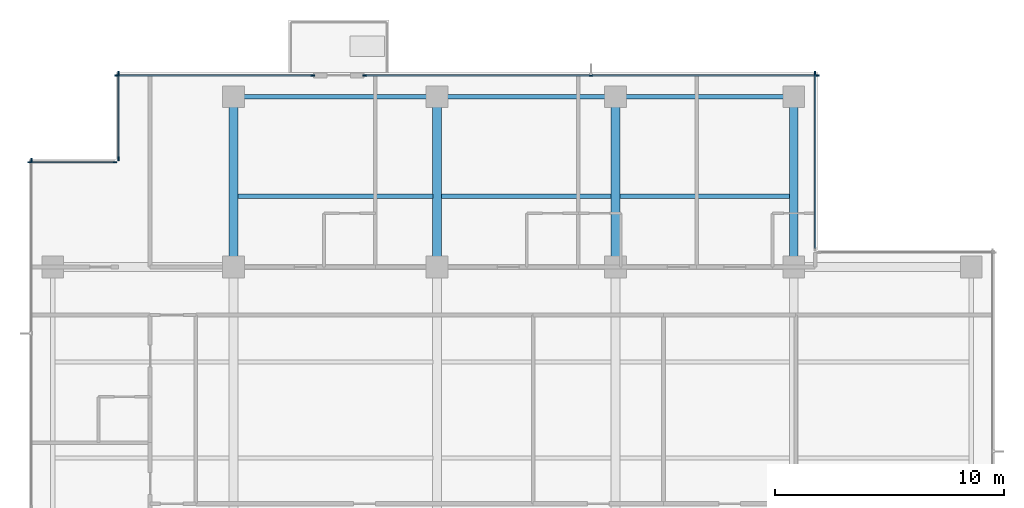
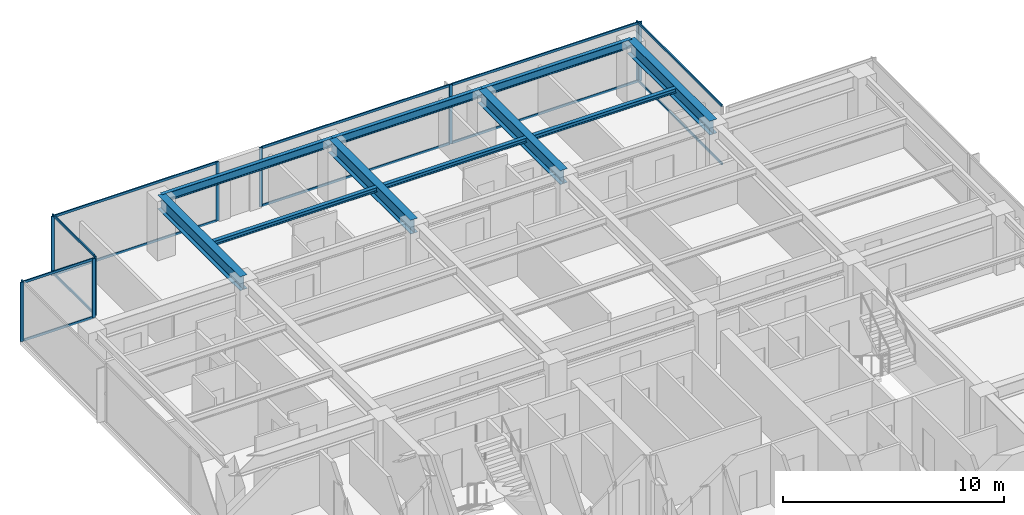
# One storey, part 5 of 14: 23 members, 10 beams, 6 elements without a shape of their own.
"""IFC4 building model written with IfcOpenShell, lengths in metres."""

from ifc_helpers import new_model, si_unit, direction, frame, origin, origin_2d, place, context, subcontext, project, spatial, rectangle, i_section, extrude, material, layer, layer_set, material_profile, profile_set, type_object, element, aggregate, save


model = new_model("IFC4")

# Units and contexts
model_context = context("Model", 3, precision=1e-05, world=origin(), true_north=direction((0.0, 1.0)))
body_context = subcontext(model_context, "Body", "Model", "MODEL_VIEW")
ifc_project = project(units=[si_unit("LENGTHUNIT", "METRE"), si_unit("AREAUNIT", "SQUARE_METRE"), si_unit("VOLUMEUNIT", "CUBIC_METRE"), si_unit("PLANEANGLEUNIT", "RADIAN"), si_unit("MASSUNIT", "GRAM", prefix="KILO")], contexts=[model_context])

# Site, building, storey
site_placement = place(None, origin())
site = spatial("IfcSite", under=ifc_project, at=site_placement, CompositionType="ELEMENT")
building_placement = place(site_placement, origin())
building = spatial("IfcBuilding", under=site, at=building_placement, Name="Qalmaran Belvedere Hotel", CompositionType="ELEMENT")
storey_placement = place(building_placement, frame((0.0, 0.0, 200.39990234375)))
storey = spatial("IfcBuildingStorey", under=building, at=storey_placement, Name="L50", CompositionType="ELEMENT", Elevation=200.39990234375)

# Beams
ifc_material_1 = material(Name="Steel S355JR", Category="steel")
ifc_material_profile_1 = material_profile(ifc_material_1, i_section(OverallWidth=0.201904296875, OverallDepth=0.2470703125, WebThickness=0.00732421875, FlangeThickness=0.010986328125, FilletRadius=0.011962890625, at=origin_2d()), Name="W250X49")
ifc_profile_set_1 = profile_set([ifc_material_profile_1], Name="Steel S355JR")
beam_type_1 = type_object("IfcBeamType", Name="BM-JST-W250X49", PredefinedType="JOIST", material=ifc_profile_set_1)
beam_1_placement = place(storey_placement, frame((20.488525390625, 36.10009765625, 3.13671875), z_axis=(1.0, 0.0, 0.0), x_axis=(0.0, 1.0, 0.0)))
element("IfcBeam", 1, at=beam_1_placement, inside=storey, type_object=beam_type_1, Name="L50 North Floor Joist 042", PredefinedType="JOIST", context=body_context, shape_type="SweptSolid", body=[
    extrude(i_section(OverallWidth=0.201904296875, OverallDepth=0.2470703125, WebThickness=0.00732421875, FlangeThickness=0.010986328125, FilletRadius=0.011962890625, at=origin_2d()), origin(), (0.0, 0.0, 1.0), 8.52294921875),
])
for number, where, z_axis, x_axis, name in (
    (2, (29.388427734375, 36.10009765625, 3.13671875), (1.0, 0.0, 0.0), (0.0, 1.0, 0.0), "L50 North Floor Joist 043"),
    (3, (37.1884765625, 36.10009765625, 3.13671875), (1.0, 0.0, 0.0), (0.0, 1.0, 0.0), "L50 North Floor Joist 044"),
):
    element("IfcBeam", number, at=place(storey_placement, frame(where, z_axis=z_axis, x_axis=x_axis)), inside=storey, type_object=beam_type_1, Name=name, PredefinedType="JOIST", context=body_context, shape_type="SweptSolid", body=[
        extrude(i_section(OverallWidth=0.201904296875, OverallDepth=0.2470703125, WebThickness=0.00732421875, FlangeThickness=0.010986328125, FilletRadius=0.011962890625, at=origin_2d()), origin(), (0.0, 0.0, 1.0), 7.423095703125),
    ])
ifc_material_profile_2 = material_profile(ifc_material_1, i_section(OverallWidth=0.381103515625, OverallDepth=0.77294921875, WebThickness=0.0166015625, FlangeThickness=0.027099609375, FilletRadius=0.02197265625, at=origin_2d()), Name="W760X257")
ifc_profile_set_2 = profile_set([ifc_material_profile_2], Name="Steel S355JR")
beam_type_2 = type_object("IfcBeamType", Name="BM-PG4-W760X257", PredefinedType="USERDEFINED", material=ifc_profile_set_2)
for number, where, z_axis, x_axis, name in (
    (4, (20.300048828125, 33.0, 2.87353515625), (0.0, 1.0, 0.0), (-1.0, 0.0, 0.0), "L50 North Bay Girder 15"),
    (5, (29.199951171875, 33.0, 2.87353515625), (0.0, 1.0, 0.0), (-1.0, 0.0, 0.0), "L50 North Bay Girder 17"),
    (6, (37.0, 33.0, 2.87353515625), (0.0, 1.0, 0.0), (-1.0, 0.0, 0.0), "L50 North Bay Girder 19"),
    (7, (44.800048828125, 33.0, 2.87353515625), (0.0, 1.0, 0.0), (-1.0, 0.0, 0.0), "L50 North Bay Girder 21"),
):
    element("IfcBeam", number, at=place(storey_placement, frame(where, z_axis=z_axis, x_axis=x_axis)), inside=storey, type_object=beam_type_2, Name=name, ObjectType="GIRDER", PredefinedType="USERDEFINED", context=body_context, shape_type="SweptSolid", body=[
        extrude(i_section(OverallWidth=0.381103515625, OverallDepth=0.77294921875, WebThickness=0.0166015625, FlangeThickness=0.027099609375, FilletRadius=0.02197265625, at=origin_2d()), origin(), (0.0, 0.0, 1.0), 7.449951171875),
    ])
ifc_material_profile_3 = material_profile(ifc_material_1, i_section(OverallWidth=0.19189453125, OverallDepth=0.462890625, WebThickness=0.010498046875, FlangeThickness=0.017578125, FilletRadius=0.01611328125, at=origin_2d()), Name="W460X89")
ifc_profile_set_3 = profile_set([ifc_material_profile_3], Name="Steel S355JR")
beam_type_3 = type_object("IfcBeamType", Name="BM-SP2-W460X89", PredefinedType="SPANDREL", material=ifc_profile_set_3)
beam_2_placement = place(storey_placement, frame((20.300048828125, 40.449951171875, 3.028564453125), z_axis=(1.0, 0.0, 0.0), x_axis=(0.0, 1.0, 0.0)))
element("IfcBeam", 8, at=beam_2_placement, inside=storey, type_object=beam_type_3, Name="L50 Perimeter Spandrel 05", PredefinedType="SPANDREL", context=body_context, shape_type="SweptSolid", body=[
    extrude(i_section(OverallWidth=0.19189453125, OverallDepth=0.462890625, WebThickness=0.010498046875, FlangeThickness=0.017578125, FilletRadius=0.01611328125, at=origin_2d()), origin(), (0.0, 0.0, 1.0), 8.89990234375),
])
for number, where, z_axis, x_axis, name in (
    (9, (29.199951171875, 40.449951171875, 3.028564453125), (1.0, 0.0, 0.0), (0.0, 1.0, 0.0), "L50 Perimeter Spandrel 06"),
    (10, (37.0, 40.449951171875, 3.028564453125), (1.0, 0.0, 0.0), (0.0, 1.0, 0.0), "L50 Perimeter Spandrel 07"),
):
    element("IfcBeam", number, at=place(storey_placement, frame(where, z_axis=z_axis, x_axis=x_axis)), inside=storey, type_object=beam_type_3, Name=name, PredefinedType="SPANDREL", context=body_context, shape_type="SweptSolid", body=[
        extrude(i_section(OverallWidth=0.19189453125, OverallDepth=0.462890625, WebThickness=0.010498046875, FlangeThickness=0.017578125, FilletRadius=0.01611328125, at=origin_2d()), origin(), (0.0, 0.0, 1.0), 7.800048828125),
    ])

# Curtain wall, member
ifc_material_2 = material(Name="Anodised Bronze Aluminium", Category="aluminium")
ifc_layer = layer(ifc_material_2, 0.18994140625, Name="Anodised Bronze Aluminium")
ifc_layer_set = layer_set([ifc_layer], Name="Anodised Bronze Aluminium")
curtain_wall_type = type_object("IfcCurtainWallType", Name="CW5-TOWER-UPPER", PredefinedType="NOTDEFINED", material=ifc_layer_set)
curtain_wall_1_placement = place(storey_placement, origin())
curtain_wall_1 = element("IfcCurtainWall", 11, at=curtain_wall_1_placement, inside=storey, type_object=curtain_wall_type, Name="L50 Curtain Wall CW5", PredefinedType="NOTDEFINED")
ifc_material_profile_4 = material_profile(ifc_material_2, rectangle(XDim=0.06494140625, YDim=0.1650390625, at=origin_2d()), Name="CWM65X165")
ifc_profile_set_4 = profile_set([ifc_material_profile_4], Name="Anodised Bronze Aluminium")
member_type_1 = type_object("IfcMemberType", Name="CWM-65X165", PredefinedType="MULLION", material=ifc_profile_set_4)
member_1_placement = place(storey_placement, frame((45.72998046875, 41.467529296875, 0.0), z_axis=(0.0, 0.0, 1.0), x_axis=(-1.0, 0.0, 0.0)))
member_1 = element("IfcMember", 12, at=member_1_placement, type_object=member_type_1, Name="CW5 mullion 2", PredefinedType="MULLION", context=body_context, shape_type="SweptSolid", body=[
    extrude(rectangle(XDim=0.06494140625, YDim=0.1650390625, at=origin_2d()), origin(), (0.0, 0.0, 1.0), 3.260009765625),
])

# Curtain wall, members
curtain_wall_2_placement = place(storey_placement, origin())
curtain_wall_2 = element("IfcCurtainWall", 13, at=curtain_wall_2_placement, inside=storey, type_object=curtain_wall_type, Name="L50 Curtain Wall CW5", PredefinedType="NOTDEFINED")
member_2_placement = place(storey_placement, frame((23.767578125, 41.3798828125, 0.0), z_axis=(0.0, 0.0, 1.0), x_axis=(0.0, -1.0, 0.0)))
member_2 = element("IfcMember", 14, at=member_2_placement, type_object=member_type_1, Name="CW5 mullion 1", PredefinedType="MULLION", context=body_context, shape_type="SweptSolid", body=[
    extrude(rectangle(XDim=0.06494140625, YDim=0.1650390625, at=origin_2d()), origin(), (0.0, 0.0, 1.0), 3.260009765625),
])
member_3_placement = place(storey_placement, frame((15.1826171875, 41.3798828125, 0.0), z_axis=(0.0, 0.0, 1.0), x_axis=(0.0, -1.0, 0.0)))
member_3 = element("IfcMember", 15, at=member_3_placement, type_object=member_type_1, Name="CW5 mullion 2", PredefinedType="MULLION", context=body_context, shape_type="SweptSolid", body=[
    extrude(rectangle(XDim=0.06494140625, YDim=0.1650390625, at=origin_2d()), origin(), (0.0, 0.0, 1.0), 3.260009765625),
])

curtain_wall_3_placement = place(storey_placement, origin())
curtain_wall_3 = element("IfcCurtainWall", 16, at=curtain_wall_3_placement, inside=storey, type_object=curtain_wall_type, Name="L50 Curtain Wall CW5", PredefinedType="NOTDEFINED")
member_4_placement = place(storey_placement, frame((45.8173828125, 41.3798828125, 0.0), z_axis=(0.0, 0.0, 1.0), x_axis=(0.0, -1.0, 0.0)))
member_4 = element("IfcMember", 17, at=member_4_placement, type_object=member_type_1, Name="CW5 mullion 1", PredefinedType="MULLION", context=body_context, shape_type="SweptSolid", body=[
    extrude(rectangle(XDim=0.06494140625, YDim=0.1650390625, at=origin_2d()), origin(), (0.0, 0.0, 1.0), 3.260009765625),
])
member_5_placement = place(storey_placement, frame((35.925048828125, 41.3798828125, 0.0), z_axis=(0.0, 0.0, 1.0), x_axis=(0.0, -1.0, 0.0)))
member_5 = element("IfcMember", 18, at=member_5_placement, type_object=member_type_1, Name="CW5 mullion 2", PredefinedType="MULLION", context=body_context, shape_type="SweptSolid", body=[
    extrude(rectangle(XDim=0.06494140625, YDim=0.1650390625, at=origin_2d()), origin(), (0.0, 0.0, 1.0), 3.260009765625),
])
member_6_placement = place(storey_placement, frame((26.032470703125, 41.3798828125, 0.0), z_axis=(0.0, 0.0, 1.0), x_axis=(0.0, -1.0, 0.0)))
member_6 = element("IfcMember", 19, at=member_6_placement, type_object=member_type_1, Name="CW5 mullion 3", PredefinedType="MULLION", context=body_context, shape_type="SweptSolid", body=[
    extrude(rectangle(XDim=0.06494140625, YDim=0.1650390625, at=origin_2d()), origin(), (0.0, 0.0, 1.0), 3.260009765625),
])

curtain_wall_4_placement = place(storey_placement, origin())
curtain_wall_4 = element("IfcCurtainWall", 20, at=curtain_wall_4_placement, inside=storey, type_object=curtain_wall_type, Name="L50 Curtain Wall CW5", PredefinedType="NOTDEFINED")
member_7_placement = place(storey_placement, frame((15.27001953125, 41.467529296875, 0.0), z_axis=(0.0, 0.0, 1.0), x_axis=(1.0, 0.0, 0.0)))
member_7 = element("IfcMember", 21, at=member_7_placement, type_object=member_type_1, Name="CW5 mullion 1", PredefinedType="MULLION", context=body_context, shape_type="SweptSolid", body=[
    extrude(rectangle(XDim=0.06494140625, YDim=0.1650390625, at=origin_2d()), origin(), (0.0, 0.0, 1.0), 3.260009765625),
])
member_8_placement = place(storey_placement, frame((15.27001953125, 37.732421875, 0.0), z_axis=(0.0, 0.0, 1.0), x_axis=(1.0, 0.0, 0.0)))
member_8 = element("IfcMember", 22, at=member_8_placement, type_object=member_type_1, Name="CW5 mullion 2", PredefinedType="MULLION", context=body_context, shape_type="SweptSolid", body=[
    extrude(rectangle(XDim=0.06494140625, YDim=0.1650390625, at=origin_2d()), origin(), (0.0, 0.0, 1.0), 3.260009765625),
])

curtain_wall_5_placement = place(storey_placement, origin())
curtain_wall_5 = element("IfcCurtainWall", 23, at=curtain_wall_5_placement, inside=storey, type_object=curtain_wall_type, Name="L50 Curtain Wall CW5", PredefinedType="NOTDEFINED")
member_9_placement = place(storey_placement, frame((15.117431640625, 37.580078125, 0.0), z_axis=(0.0, 0.0, 1.0), x_axis=(0.0, -1.0, 0.0)))
member_9 = element("IfcMember", 24, at=member_9_placement, type_object=member_type_1, Name="CW5 mullion 1", PredefinedType="MULLION", context=body_context, shape_type="SweptSolid", body=[
    extrude(rectangle(XDim=0.06494140625, YDim=0.1650390625, at=origin_2d()), origin(), (0.0, 0.0, 1.0), 3.260009765625),
])
member_10_placement = place(storey_placement, frame((11.382568359375, 37.580078125, 0.0), z_axis=(0.0, 0.0, 1.0), x_axis=(0.0, -1.0, 0.0)))
member_10 = element("IfcMember", 25, at=member_10_placement, type_object=member_type_1, Name="CW5 mullion 2", PredefinedType="MULLION", context=body_context, shape_type="SweptSolid", body=[
    extrude(rectangle(XDim=0.06494140625, YDim=0.1650390625, at=origin_2d()), origin(), (0.0, 0.0, 1.0), 3.260009765625),
])

# Curtain wall, member
curtain_wall_6_placement = place(storey_placement, origin())
curtain_wall_6 = element("IfcCurtainWall", 26, at=curtain_wall_6_placement, inside=storey, type_object=curtain_wall_type, Name="L50 Curtain Wall CW5", PredefinedType="NOTDEFINED")
member_11_placement = place(storey_placement, frame((11.469970703125, 37.66748046875, 0.0), z_axis=(0.0, 0.0, 1.0), x_axis=(1.0, 0.0, 0.0)))
member_11 = element("IfcMember", 27, at=member_11_placement, type_object=member_type_1, Name="CW5 mullion 1", PredefinedType="MULLION", context=body_context, shape_type="SweptSolid", body=[
    extrude(rectangle(XDim=0.06494140625, YDim=0.1650390625, at=origin_2d()), origin(), (0.0, 0.0, 1.0), 3.260009765625),
])
aggregate(curtain_wall_6, [member_11])

# Member
ifc_material_profile_5 = material_profile(ifc_material_2, rectangle(XDim=0.06494140625, YDim=0.1298828125, at=origin_2d()), Name="CWT65X130")
ifc_profile_set_5 = profile_set([ifc_material_profile_5], Name="Anodised Bronze Aluminium")
member_type_2 = type_object("IfcMemberType", Name="CWT-65X130", PredefinedType="USERDEFINED", material=ifc_profile_set_5)
member_12_placement = place(storey_placement, frame((45.72998046875, 33.81494140625, 0.03271484375), z_axis=(0.0, 1.0, 0.0), x_axis=(-1.0, 0.0, 0.0)))
member_12 = element("IfcMember", 28, at=member_12_placement, type_object=member_type_2, Name="CW5 transom 1.1", ObjectType="TRANSOM", PredefinedType="USERDEFINED", context=body_context, shape_type="SweptSolid", body=[
    extrude(rectangle(XDim=0.06494140625, YDim=0.1298828125, at=origin_2d()), origin(), (0.0, 0.0, 1.0), 7.6201171875),
])

member_13_placement = place(storey_placement, frame((45.72998046875, 33.81494140625, 3.2275390625), z_axis=(0.0, 1.0, 0.0), x_axis=(-1.0, 0.0, 0.0)))
member_13 = element("IfcMember", 29, at=member_13_placement, type_object=member_type_2, Name="CW5 transom 1.2", ObjectType="TRANSOM", PredefinedType="USERDEFINED", context=body_context, shape_type="SweptSolid", body=[
    extrude(rectangle(XDim=0.06494140625, YDim=0.1298828125, at=origin_2d()), origin(), (0.0, 0.0, 1.0), 7.6201171875),
])

aggregate(curtain_wall_1, [member_1, member_12, member_13])

member_14_placement = place(storey_placement, frame((23.735107421875, 41.3798828125, 0.03271484375), z_axis=(-1.0, 0.0, 0.0), x_axis=(0.0, -1.0, 0.0)))
member_14 = element("IfcMember", 30, at=member_14_placement, type_object=member_type_2, Name="CW5 transom 1.1", ObjectType="TRANSOM", PredefinedType="USERDEFINED", context=body_context, shape_type="SweptSolid", body=[
    extrude(rectangle(XDim=0.06494140625, YDim=0.1298828125, at=origin_2d()), origin(), (0.0, 0.0, 1.0), 8.52001953125),
])

member_15_placement = place(storey_placement, frame((23.735107421875, 41.3798828125, 3.2275390625), z_axis=(-1.0, 0.0, 0.0), x_axis=(0.0, -1.0, 0.0)))
member_15 = element("IfcMember", 31, at=member_15_placement, type_object=member_type_2, Name="CW5 transom 1.2", ObjectType="TRANSOM", PredefinedType="USERDEFINED", context=body_context, shape_type="SweptSolid", body=[
    extrude(rectangle(XDim=0.06494140625, YDim=0.1298828125, at=origin_2d()), origin(), (0.0, 0.0, 1.0), 8.52001953125),
])

aggregate(curtain_wall_2, [member_2, member_3, member_14, member_15])

member_16_placement = place(storey_placement, frame((45.784912109375, 41.3798828125, 0.03271484375), z_axis=(-1.0, 0.0, 0.0), x_axis=(0.0, -1.0, 0.0)))
member_16 = element("IfcMember", 32, at=member_16_placement, type_object=member_type_2, Name="CW5 transom 1.1", ObjectType="TRANSOM", PredefinedType="USERDEFINED", context=body_context, shape_type="SweptSolid", body=[
    extrude(rectangle(XDim=0.06494140625, YDim=0.1298828125, at=origin_2d()), origin(), (0.0, 0.0, 1.0), 9.827392578125),
])

member_17_placement = place(storey_placement, frame((45.784912109375, 41.3798828125, 3.2275390625), z_axis=(-1.0, 0.0, 0.0), x_axis=(0.0, -1.0, 0.0)))
member_17 = element("IfcMember", 33, at=member_17_placement, type_object=member_type_2, Name="CW5 transom 1.2", ObjectType="TRANSOM", PredefinedType="USERDEFINED", context=body_context, shape_type="SweptSolid", body=[
    extrude(rectangle(XDim=0.06494140625, YDim=0.1298828125, at=origin_2d()), origin(), (0.0, 0.0, 1.0), 9.827392578125),
])

member_18_placement = place(storey_placement, frame((35.892578125, 41.3798828125, 0.03271484375), z_axis=(-1.0, 0.0, 0.0), x_axis=(0.0, -1.0, 0.0)))
member_18 = element("IfcMember", 34, at=member_18_placement, type_object=member_type_2, Name="CW5 transom 2.1", ObjectType="TRANSOM", PredefinedType="USERDEFINED", context=body_context, shape_type="SweptSolid", body=[
    extrude(rectangle(XDim=0.06494140625, YDim=0.1298828125, at=origin_2d()), origin(), (0.0, 0.0, 1.0), 9.82763671875),
])

member_19_placement = place(storey_placement, frame((35.892578125, 41.3798828125, 3.2275390625), z_axis=(-1.0, 0.0, 0.0), x_axis=(0.0, -1.0, 0.0)))
member_19 = element("IfcMember", 35, at=member_19_placement, type_object=member_type_2, Name="CW5 transom 2.2", ObjectType="TRANSOM", PredefinedType="USERDEFINED", context=body_context, shape_type="SweptSolid", body=[
    extrude(rectangle(XDim=0.06494140625, YDim=0.1298828125, at=origin_2d()), origin(), (0.0, 0.0, 1.0), 9.82763671875),
])

aggregate(curtain_wall_3, [member_4, member_5, member_6, member_16, member_17, member_18, member_19])

member_20_placement = place(storey_placement, frame((15.27001953125, 41.43505859375, 0.03271484375), z_axis=(0.0, -1.0, 0.0), x_axis=(1.0, 0.0, 0.0)))
member_20 = element("IfcMember", 36, at=member_20_placement, type_object=member_type_2, Name="CW5 transom 1.1", ObjectType="TRANSOM", PredefinedType="USERDEFINED", context=body_context, shape_type="SweptSolid", body=[
    extrude(rectangle(XDim=0.06494140625, YDim=0.1298828125, at=origin_2d()), origin(), (0.0, 0.0, 1.0), 3.670166015625),
])

member_21_placement = place(storey_placement, frame((15.27001953125, 41.43505859375, 3.2275390625), z_axis=(0.0, -1.0, 0.0), x_axis=(1.0, 0.0, 0.0)))
member_21 = element("IfcMember", 37, at=member_21_placement, type_object=member_type_2, Name="CW5 transom 1.2", ObjectType="TRANSOM", PredefinedType="USERDEFINED", context=body_context, shape_type="SweptSolid", body=[
    extrude(rectangle(XDim=0.06494140625, YDim=0.1298828125, at=origin_2d()), origin(), (0.0, 0.0, 1.0), 3.670166015625),
])

aggregate(curtain_wall_4, [member_7, member_8, member_20, member_21])

member_22_placement = place(storey_placement, frame((15.0849609375, 37.580078125, 0.03271484375), z_axis=(-1.0, 0.0, 0.0), x_axis=(0.0, -1.0, 0.0)))
member_22 = element("IfcMember", 38, at=member_22_placement, type_object=member_type_2, Name="CW5 transom 1.1", ObjectType="TRANSOM", PredefinedType="USERDEFINED", context=body_context, shape_type="SweptSolid", body=[
    extrude(rectangle(XDim=0.06494140625, YDim=0.1298828125, at=origin_2d()), origin(), (0.0, 0.0, 1.0), 3.669921875),
])

member_23_placement = place(storey_placement, frame((15.0849609375, 37.580078125, 3.2275390625), z_axis=(-1.0, 0.0, 0.0), x_axis=(0.0, -1.0, 0.0)))
member_23 = element("IfcMember", 39, at=member_23_placement, type_object=member_type_2, Name="CW5 transom 1.2", ObjectType="TRANSOM", PredefinedType="USERDEFINED", context=body_context, shape_type="SweptSolid", body=[
    extrude(rectangle(XDim=0.06494140625, YDim=0.1298828125, at=origin_2d()), origin(), (0.0, 0.0, 1.0), 3.669921875),
])

aggregate(curtain_wall_5, [member_9, member_10, member_22, member_23])

save(model, "model.ifc")
